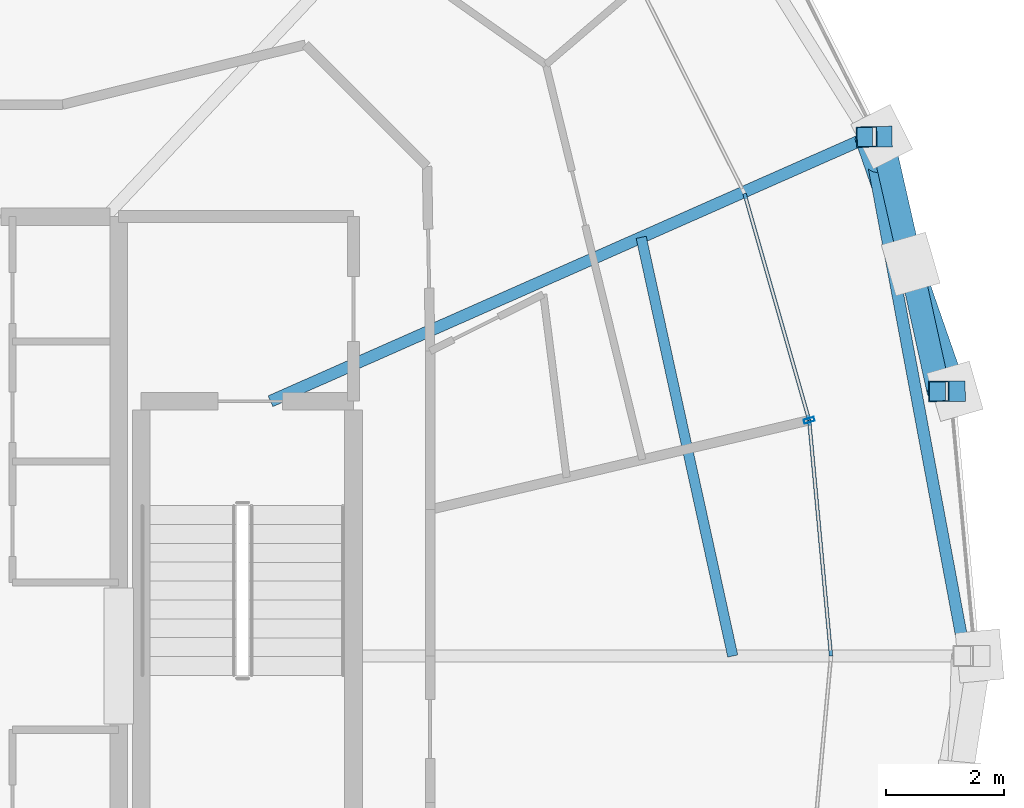
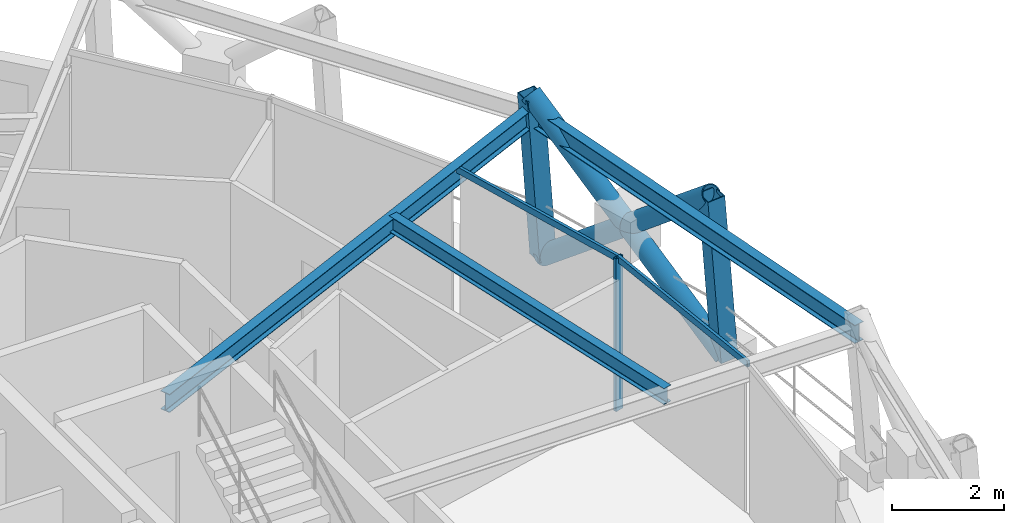
# One storey, part 6 of 15: 8 members, 3 beams, 1 element without a shape of its own.
"""IFC4 building model written with IfcOpenShell, lengths in metres."""

from ifc_helpers import new_model, si_unit, direction, frame, origin, origin_2d, place, context, subcontext, project, spatial, hollow_rectangle, hollow_circle, i_section, extrude, material, layer, layer_set, material_profile, profile_set, type_object, element, aggregate, save


model = new_model("IFC4")

# Units and contexts
model_context = context("Model", 3, precision=1e-05, world=origin(), true_north=direction((0.0, 1.0)))
body_context = subcontext(model_context, "Body", "Model", "MODEL_VIEW")
ifc_project = project(units=[si_unit("LENGTHUNIT", "METRE"), si_unit("AREAUNIT", "SQUARE_METRE"), si_unit("VOLUMEUNIT", "CUBIC_METRE"), si_unit("PLANEANGLEUNIT", "RADIAN"), si_unit("MASSUNIT", "GRAM", prefix="KILO")], contexts=[model_context])

# Site, building, storey
site_placement = place(None, origin())
site = spatial("IfcSite", under=ifc_project, at=site_placement, CompositionType="ELEMENT")
building_placement = place(site_placement, origin())
building = spatial("IfcBuilding", under=site, at=building_placement, Name="Veldorina Hangang Commons", CompositionType="ELEMENT")
storey_placement = place(building_placement, frame((0.0, 0.0, 265.199951171875)))
storey = spatial("IfcBuildingStorey", under=building, at=storey_placement, Name="L69", CompositionType="ELEMENT", Elevation=265.199951171875)

# Beams
ifc_material_1 = material(Name="Steel SM355-TMC", Category="steel")
ifc_material_profile_1 = material_profile(ifc_material_1, i_section(OverallWidth=0.199951171875, OverallDepth=0.39990234375, WebThickness=0.008056640625, FlangeThickness=0.012939453125, FilletRadius=0.012939453125, at=origin_2d()), Name="H-400x200x8x13")
ifc_profile_set_1 = profile_set([ifc_material_profile_1], Name="Steel SM355-TMC")
beam_type_1 = type_object("IfcBeamType", Name="BM-FG400", PredefinedType="BEAM", material=ifc_profile_set_1)
beam_1_placement = place(storey_placement, frame((41.77294921875, 28.320068359375, 3.16015625), z_axis=(0.914624479326, 0.404304417263, 0.0), x_axis=(-0.404304417263, 0.914624479326, 0.0)))
element("IfcBeam", 1, at=beam_1_placement, inside=storey, type_object=beam_type_1, Name="L69 radial floor girder 02", PredefinedType="BEAM", context=body_context, shape_type="SweptSolid", body=[
    extrude(i_section(OverallWidth=0.199951171875, OverallDepth=0.39990234375, WebThickness=0.008056640625, FlangeThickness=0.012939453125, FilletRadius=0.012939453125, at=origin_2d()), origin(), (0.0, 0.0, 1.0), 11.083740234375),
])
ifc_material_profile_2 = material_profile(ifc_material_1, i_section(OverallWidth=0.175048828125, OverallDepth=0.35009765625, WebThickness=0.007080078125, FlangeThickness=0.010986328125, FilletRadius=0.012939453125, at=origin_2d()), Name="H-350x175x7x11")
ifc_profile_set_2 = profile_set([ifc_material_profile_2], Name="Steel SM355-TMC")
beam_type_2 = type_object("IfcBeamType", Name="BM-JST350", PredefinedType="JOIST", material=ifc_profile_set_2)
beam_2_placement = place(storey_placement, frame((49.610107421875, 24.0, 3.18505859375), z_axis=(-0.213595670353, 0.976922151252, 0.0), x_axis=(-0.976922151252, -0.213595670353, 0.0)))
element("IfcBeam", 2, at=beam_2_placement, inside=storey, type_object=beam_type_2, Name="L69 secondary floor joist 01", PredefinedType="JOIST", context=body_context, shape_type="SweptSolid", body=[
    extrude(i_section(OverallWidth=0.175048828125, OverallDepth=0.35009765625, WebThickness=0.007080078125, FlangeThickness=0.010986328125, FilletRadius=0.012939453125, at=origin_2d()), origin(), (0.0, 0.0, 1.0), 7.26611328125),
])
ifc_material_profile_3 = material_profile(ifc_material_1, i_section(OverallWidth=0.199951171875, OverallDepth=0.39990234375, WebThickness=0.008056640625, FlangeThickness=0.012939453125, FilletRadius=0.012939453125, at=origin_2d()), Name="H-400x200x8x13")
ifc_profile_set_3 = profile_set([ifc_material_profile_3], Name="Steel SM355-TMC")
beam_type_3 = type_object("IfcBeamType", Name="BM-RB400", PredefinedType="BEAM", material=ifc_profile_set_3)
beam_3_placement = place(storey_placement, frame((53.551025390625, 24.0, 3.16015625), z_axis=(-0.183251161697, 0.983066127855, 0.0), x_axis=(-0.983066127855, -0.183251161697, 0.0)))
element("IfcBeam", 3, at=beam_3_placement, inside=storey, type_object=beam_type_3, Name="L69 perimeter hoop ring beam 00", PredefinedType="BEAM", context=body_context, shape_type="SweptSolid", body=[
    extrude(i_section(OverallWidth=0.199951171875, OverallDepth=0.39990234375, WebThickness=0.008056640625, FlangeThickness=0.012939453125, FilletRadius=0.012939453125, at=origin_2d()), origin(), (0.0, 0.0, 1.0), 8.952880859375),
])

# Curtain wall, members
ifc_material_2 = material(Name="Glass Low-E Selective", Category="glass")
ifc_layer = layer(ifc_material_2, 0.179931640625)
ifc_layer_set = layer_set([ifc_layer], Name="Glass Low-E Selective")
curtain_wall_type = type_object("IfcCurtainWallType", Name="CW-SYS-Z3", PredefinedType="NOTDEFINED", material=ifc_layer_set)
curtain_wall_placement = place(storey_placement, origin())
curtain_wall = element("IfcCurtainWall", 4, at=curtain_wall_placement, inside=storey, type_object=curtain_wall_type, Name="L69 unitised curtain wall CW-L69-R2", PredefinedType="NOTDEFINED")
ifc_material_3 = material(Name="Aluminium Anodized AA6063-T6", Category="aluminium")
ifc_material_profile_4 = material_profile(ifc_material_3, hollow_rectangle(XDim=0.070068359375, YDim=0.179931640625, WallThickness=0.00390625, at=origin_2d()), Name="ALU-RHS-180x70x4")
ifc_profile_set_4 = profile_set([ifc_material_profile_4], Name="Aluminium Anodized AA6063-T6")
member_type_1 = type_object("IfcMemberType", Name="CW-MUL-180", PredefinedType="MULLION", material=ifc_profile_set_4)
member_1_placement = place(storey_placement, frame((50.906005859375, 27.997314453125, 0.0), z_axis=(0.0, 0.0, 1.0), x_axis=(-0.274429181428, 0.961607312982, 0.0)))
member_1 = element("IfcMember", 5, at=member_1_placement, type_object=member_type_1, Name="CW-L69-R2 vertical mullion 2", PredefinedType="MULLION", context=body_context, shape_type="SweptSolid", body=[
    extrude(hollow_rectangle(XDim=0.070068359375, YDim=0.179931640625, WallThickness=0.00390625, at=origin_2d()), origin(), (0.0, 0.0, 1.0), 3.320068359375),
])
ifc_material_profile_5 = material_profile(ifc_material_3, hollow_rectangle(XDim=0.06005859375, YDim=0.139892578125, WallThickness=0.00341796875, at=origin_2d()), Name="ALU-RHS-140x60x3.5")
ifc_profile_set_5 = profile_set([ifc_material_profile_5], Name="Aluminium Anodized AA6063-T6")
member_type_2 = type_object("IfcMemberType", Name="CW-TRN-140", PredefinedType="USERDEFINED", material=ifc_profile_set_5)
member_2_placement = place(storey_placement, frame((51.2763671875, 24.0, 3.280029296875), z_axis=(-0.092257392475, 0.995735192475, 0.0), x_axis=(-0.995735192475, -0.092257392475, 0.0)))
member_2 = element("IfcMember", 6, at=member_2_placement, type_object=member_type_2, Name="CW-L69-R2 facet 2 transom 1", ObjectType="TRANSOM", PredefinedType="USERDEFINED", context=body_context, shape_type="SweptSolid", body=[
    extrude(hollow_rectangle(XDim=0.06005859375, YDim=0.139892578125, WallThickness=0.00341796875, at=origin_2d()), origin(), (0.0, 0.0, 1.0), 4.014404296875),
])
member_3_placement = place(storey_placement, frame((50.906005859375, 27.997314453125, 3.280029296875), z_axis=(-0.274438758608, 0.961604579738, 0.0), x_axis=(-0.961604579738, -0.274438758608, 0.0)))
member_3 = element("IfcMember", 7, at=member_3_placement, type_object=member_type_2, Name="CW-L69-R2 facet 3 transom 1", ObjectType="TRANSOM", PredefinedType="USERDEFINED", context=body_context, shape_type="SweptSolid", body=[
    extrude(hollow_rectangle(XDim=0.06005859375, YDim=0.139892578125, WallThickness=0.00341796875, at=origin_2d()), origin(), (0.0, 0.0, 1.0), 3.9970703125),
])
aggregate(curtain_wall, [member_1, member_2, member_3])

# Members
ifc_material_profile_6 = material_profile(ifc_material_1, hollow_circle(Radius=0.199951171875, WallThickness=0.02001953125, at=origin_2d()), Name="CHS-400x20")
ifc_profile_set_6 = profile_set([ifc_material_profile_6], Name="Steel SM355-TMC")
member_type_3 = type_object("IfcMemberType", Name="DG-CHS400", PredefinedType="BRACE", material=ifc_profile_set_6)
member_4_placement = place(storey_placement, frame((53.377685546875, 28.489013671875, 0.0), z_axis=(-0.257812075867, 0.741645424305, 0.619269729717), x_axis=(-0.944556670514, -0.328348437162, 0.0)))
element("IfcMember", 8, at=member_4_placement, inside=storey, type_object=member_type_3, Name="L69 continuous perimeter diagrid brace 01", PredefinedType="BRACE", context=body_context, shape_type="SweptSolid", body=[
    extrude(hollow_circle(Radius=0.199951171875, WallThickness=0.02001953125, at=origin_2d()), origin(), (0.0, 0.0, 1.0), 5.8134765625),
])
member_5_placement = place(storey_placement, frame((52.13720703125, 32.80517578125, 0.0), z_axis=(0.171847790572, -0.756421111014, 0.63110652008), x_axis=(0.975151267501, 0.221540076491, 0.0)))
element("IfcMember", 9, at=member_5_placement, inside=storey, type_object=member_type_3, Name="L69 split perimeter diagrid lower brace 02", PredefinedType="BRACE", context=body_context, shape_type="SweptSolid", body=[
    extrude(hollow_circle(Radius=0.199951171875, WallThickness=0.02001953125, at=origin_2d()), origin(), (0.0, 0.0, 1.0), 2.854248046875),
])
member_6_placement = place(storey_placement, frame((52.627685546875, 30.646240234375, 1.80126953125), z_axis=(0.166918238222, -0.75759811971, 0.631017742033), x_axis=(0.976577700851, 0.215165039448, 0.0)))
element("IfcMember", 10, at=member_6_placement, inside=storey, type_object=member_type_3, Name="L69 split perimeter diagrid upper brace 02", PredefinedType="BRACE", context=body_context, shape_type="SweptSolid", body=[
    extrude(hollow_circle(Radius=0.199951171875, WallThickness=0.02001953125, at=origin_2d()), origin(), (0.0, 0.0, 1.0), 2.8505859375),
])
ifc_material_profile_7 = material_profile(ifc_material_1, hollow_rectangle(XDim=0.35009765625, YDim=0.35009765625, WallThickness=0.01611328125, at=origin_2d()), Name="SHS-350x350x16")
ifc_profile_set_7 = profile_set([ifc_material_profile_7], Name="Steel SM355-TMC")
member_type_4 = type_object("IfcMemberType", Name="STR-SHS350", PredefinedType="STRUT", material=ifc_profile_set_7)
member_7_placement = place(storey_placement, frame((53.377685546875, 28.489013671875, 0.0), z_axis=(-0.07593633992, -0.000676191807, 0.997112438516), x_axis=(0.008904366477, -0.999960355343, 0.0)))
element("IfcMember", 11, at=member_7_placement, inside=storey, type_object=member_type_4, Name="L69 perimeter ring node post 01", PredefinedType="STRUT", context=body_context, shape_type="SweptSolid", body=[
    extrude(hollow_rectangle(XDim=0.35009765625, YDim=0.35009765625, WallThickness=0.01611328125, at=origin_2d()), origin(), (0.0, 0.0, 1.0), 3.610595703125),
])
member_8_placement = place(storey_placement, frame((52.13720703125, 32.80517578125, 0.0), z_axis=(-0.071564248181, -0.00128518026, 0.997435164156), x_axis=(0.017955516964, -0.99983878671, 0.0)))
element("IfcMember", 12, at=member_8_placement, inside=storey, type_object=member_type_4, Name="L69 perimeter ring node post 02", PredefinedType="STRUT", context=body_context, shape_type="SweptSolid", body=[
    extrude(hollow_rectangle(XDim=0.35009765625, YDim=0.35009765625, WallThickness=0.01611328125, at=origin_2d()), origin(), (0.0, 0.0, 1.0), 3.609375),
])

save(model, "model.ifc")
